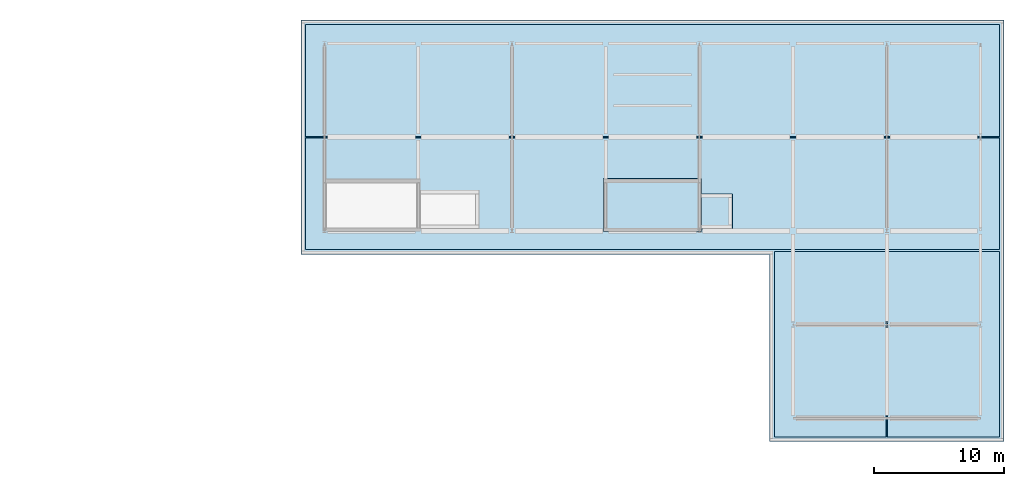
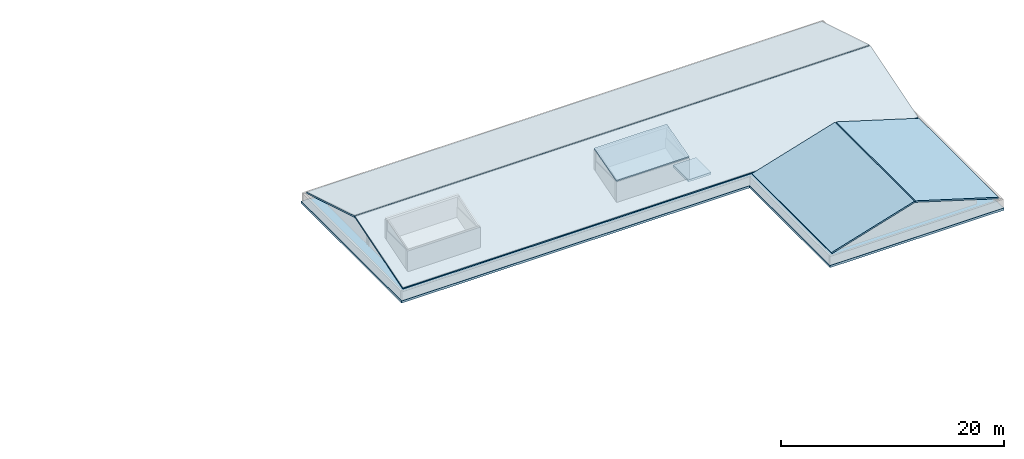
# One storey, part 12 of 19: 7 slabs.
"""IFC4 building model written with IfcOpenShell, lengths in metres."""

from ifc_helpers import new_model, si_unit, direction, frame, origin, place, context, subcontext, project, spatial, polyline, outline, extrude, material, layer, layer_set, type_object, element, save


model = new_model("IFC4")

# Units and contexts
model_context = context("Model", 3, precision=1e-05, world=origin(), true_north=direction((0.0, 1.0)))
body_context = subcontext(model_context, "Body", "Model", "MODEL_VIEW")
ifc_project = project(units=[si_unit("LENGTHUNIT", "METRE"), si_unit("AREAUNIT", "SQUARE_METRE"), si_unit("VOLUMEUNIT", "CUBIC_METRE"), si_unit("PLANEANGLEUNIT", "RADIAN"), si_unit("MASSUNIT", "GRAM", prefix="KILO")], contexts=[model_context])

# Site, building, storey
site_placement = place(None, origin())
site = spatial("IfcSite", under=ifc_project, at=site_placement, CompositionType="ELEMENT")
building_placement = place(site_placement, origin())
building = spatial("IfcBuilding", under=site, at=building_placement, Name="Suanplinth Sawtooth Commons", CompositionType="ELEMENT")
storey_placement = place(building_placement, frame((0.0, 0.0, 44.39990234375)))
storey = spatial("IfcBuildingStorey", under=building, at=storey_placement, Name="L13", CompositionType="ELEMENT", Elevation=44.39990234375)

# Slabs
ifc_material_1 = material(Name="Concrete C40/50", Category="concrete")
ifc_layer_1 = layer(ifc_material_1, 0.22998046875, Name="Reinforced concrete lift overrun roof slab 230mm")
ifc_layer_set_1 = layer_set([ifc_layer_1], Name="Concrete C40/50")
slab_type_1 = type_object("IfcSlabType", Name="S-OR01", PredefinedType="ROOF", material=ifc_layer_set_1)
slab_1_placement = place(storey_placement, frame((0.0, 0.0, 1.050048828125)))
element("IfcSlab", 1, at=slab_1_placement, inside=storey, type_object=slab_type_1, Name="Lift Overrun Roof Slab LF4", PredefinedType="ROOF", context=body_context, shape_type="SweptSolid", body=[
    extrude(outline(polyline([(165.764892578125, 108.14990234375), (168.14990234375, 108.14990234375), (168.14990234375, 110.85009765625), (165.764892578125, 110.85009765625), (165.764892578125, 108.14990234375)])), origin(), (0.0, 0.0, 1.0), 0.22998046875),
])
ifc_material_2 = material(Name="Precast concrete C40/50", Category="concrete")
ifc_layer_2 = layer(ifc_material_2, 0.239990234375, Name="Residential block insulated roof slab 240mm")
ifc_layer_set_2 = layer_set([ifc_layer_2], Name="Precast concrete C40/50")
slab_type_2 = type_object("IfcSlabType", Name="S-RF01", PredefinedType="ROOF", material=ifc_layer_set_2)
slab_2_placement = place(storey_placement, frame((0.0, 0.0, -0.239990234375)))
element("IfcSlab", 2, at=slab_2_placement, inside=storey, type_object=slab_type_2, Name="L13 Block B Tropical Overhanging Roof Slab", PredefinedType="ROOF", context=body_context, shape_type="SweptSolid", body=[
    extrude(outline(polyline([(171.0, 106.199951171875), (135.0, 106.199951171875), (135.0, 124.199951171875), (189.0, 124.199951171875), (189.0, 91.800048828125), (171.0, 91.800048828125), (171.0, 106.199951171875)])), origin(), (0.0, 0.0, 1.0), 0.239990234375),
])
ifc_material_3 = material(Name="Concrete C35/45", Category="concrete")
ifc_layer_3 = layer(ifc_material_3, 0.159912109375, Name="Market gable & breezeway canopy roof slab 160mm")
ifc_layer_set_3 = layer_set([ifc_layer_3], Name="Concrete C35/45")
slab_type_3 = type_object("IfcSlabType", Name="S-RF03", PredefinedType="ROOF", material=ifc_layer_set_3)
slab_3_placement = place(storey_placement, frame((135.35009765625, 106.550048828125, 1.090087890625), z_axis=(0.0, -0.290734147069, 0.956803875268), x_axis=(1.0, 0.0, 0.0)))
element("IfcSlab", 3, at=slab_3_placement, inside=storey, type_object=slab_type_3, Name="L13 Block B Tropical Crown South Slope", PredefinedType="ROOF", context=body_context, shape_type="SweptSolid", body=[
    extrude(outline(polyline([(0.0, 0.0), (53.2998046875, 0.0), (53.2998046875, 8.977643143004794), (0.0, 8.977643143004794), (0.0, 0.0)])), origin(), (0.0, 0.0, -1.0), 0.159912109375),
])
slab_4_placement = place(storey_placement, frame((135.35009765625, 123.85009765625, 1.090087890625), z_axis=(0.0, 0.290726582471, 0.956806173812), x_axis=(1.0, 0.0, 0.0)))
element("IfcSlab", 4, at=slab_4_placement, inside=storey, type_object=slab_type_3, Name="L13 Block B Tropical Crown North Slope", PredefinedType="ROOF", context=body_context, shape_type="SweptSolid", body=[
    extrude(outline(polyline([(0.0, 0.0), (53.2998046875, 0.0), (53.2998046875, -8.977876737981493), (0.0, -8.977876737981493), (0.0, 0.0)])), origin(), (0.0, 0.0, -1.0), 0.159912109375),
])
slab_5_placement = place(storey_placement, frame((171.35009765625, 92.14990234375, 1.090087890625), z_axis=(-0.290734147069, 0.0, 0.956803875268), x_axis=(0.0, 1.0, 0.0)))
element("IfcSlab", 5, at=slab_5_placement, inside=storey, type_object=slab_type_3, Name="L13 Block B Return Wing Crown West Slope", PredefinedType="ROOF", context=body_context, shape_type="SweptSolid", body=[
    extrude(outline(polyline([(0.0, 0.0), (14.25, 0.0), (14.25, -8.977643143004794), (0.0, -8.977643143004794), (0.0, 0.0)])), origin(), (0.0, 0.0, -1.0), 0.159912109375),
])
slab_6_placement = place(storey_placement, frame((188.64990234375, 92.14990234375, 1.090087890625), z_axis=(0.290734147069, 0.0, 0.956803875268), x_axis=(0.0, 1.0, 0.0)))
element("IfcSlab", 6, at=slab_6_placement, inside=storey, type_object=slab_type_3, Name="L13 Block B Return Wing Crown East Slope", PredefinedType="ROOF", context=body_context, shape_type="SweptSolid", body=[
    extrude(outline(polyline([(0.0, 0.0), (14.25, 0.0), (14.25, 8.977643143004794), (0.0, 8.977643143004794), (0.0, 0.0)])), origin(), (0.0, 0.0, -1.0), 0.159912109375),
])
slab_7_placement = place(storey_placement, frame((158.235107421875, 107.93505859375, 3.97998046875), z_axis=(0.0, -0.267791368904, 0.963476923824), x_axis=(1.0, 0.0, 0.0)))
element("IfcSlab", 7, at=slab_7_placement, inside=storey, type_object=slab_type_3, Name="Stair ST-E2 Roof Headhouse Roof", PredefinedType="ROOF", context=body_context, shape_type="SweptSolid", body=[
    extrude(outline(polyline([(0.0, 0.0), (7.52978515625, 0.0), (7.52978515625, 4.182797944845498), (0.0, 4.182797944845498), (0.0, 0.0)])), origin(), (0.0, 0.0, -1.0), 0.159912109375),
])

save(model, "model.ifc")
